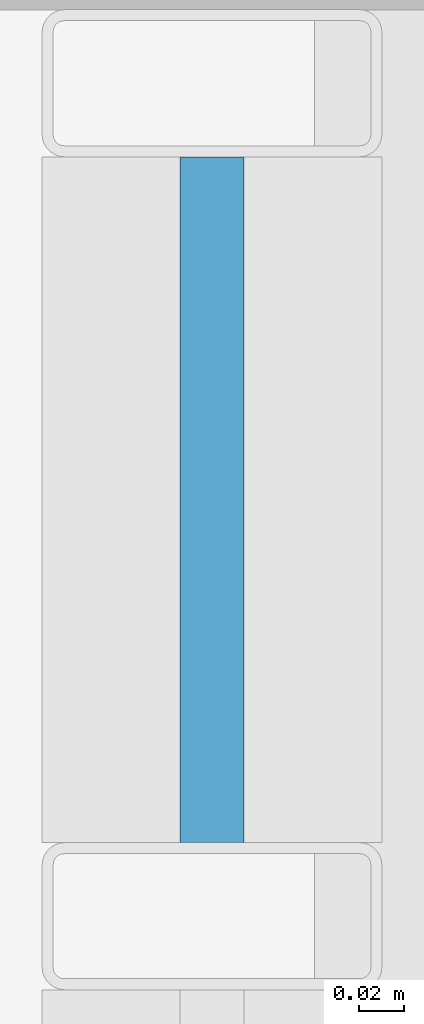
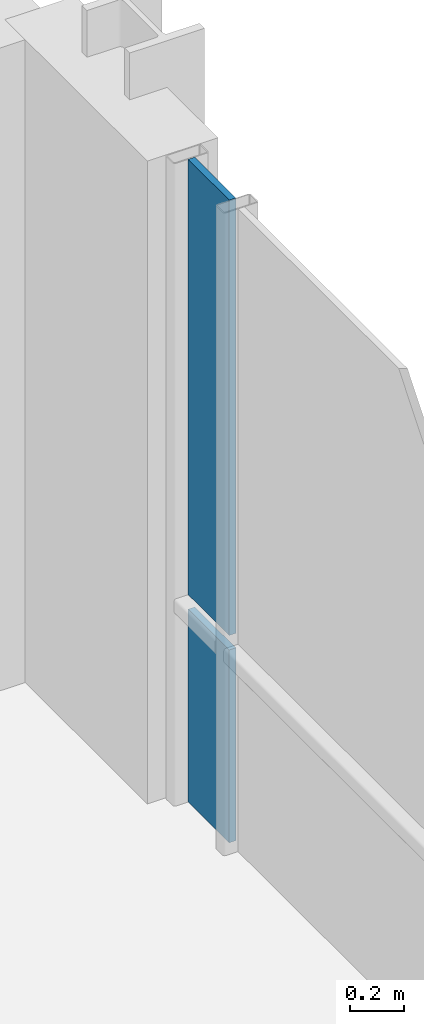
# One storey, part 7 of 12: 2 plates, 1 element without a shape of its own.
"""IFC4 building model written with IfcOpenShell, lengths in metres."""

from ifc_helpers import new_model, si_unit, direction, frame, origin, origin_2d, place, context, subcontext, project, spatial, rectangle, extrude, material, layer, layer_set, type_object, element, aggregate, save


model = new_model("IFC4")

# Units and contexts
model_context = context("Model", 3, precision=1e-05, world=origin(), true_north=direction((0.0, 1.0)))
body_context = subcontext(model_context, "Body", "Model", "MODEL_VIEW")
ifc_project = project(units=[si_unit("LENGTHUNIT", "METRE"), si_unit("AREAUNIT", "SQUARE_METRE"), si_unit("VOLUMEUNIT", "CUBIC_METRE"), si_unit("PLANEANGLEUNIT", "RADIAN"), si_unit("MASSUNIT", "GRAM", prefix="KILO")], contexts=[model_context])

# Site, building, storey
site_placement = place(None, origin())
site = spatial("IfcSite", under=ifc_project, at=site_placement, CompositionType="ELEMENT")
building_placement = place(site_placement, origin())
building = spatial("IfcBuilding", under=site, at=building_placement, Name="Brevholm Reach", CompositionType="ELEMENT")
storey_placement = place(building_placement, frame((0.0, 0.0, 227.300048828125)))
storey = spatial("IfcBuildingStorey", under=building, at=storey_placement, Name="L69", CompositionType="ELEMENT", Elevation=227.300048828125)

# Curtain wall, plates
ifc_material_1 = material(Name="Dark Anodised Aluminium 6063-T6 and Solar-Control Glass", Category="aluminium")
ifc_layer_1 = layer(ifc_material_1, 0.14990234375)
ifc_layer_set_1 = layer_set([ifc_layer_1], Name="Dark Anodised Aluminium 6063-T6 and Solar-Control Glass")
curtain_wall_type = type_object("IfcCurtainWallType", Name="CW-01", PredefinedType="NOTDEFINED", material=ifc_layer_set_1)
curtain_wall_placement = place(storey_placement, origin())
curtain_wall = element("IfcCurtainWall", 1, at=curtain_wall_placement, inside=storey, type_object=curtain_wall_type, Name="L69 Curtain Wall CW-01", PredefinedType="NOTDEFINED")
ifc_material_2 = material(Name="Dark Solar-Control Double-Glazed IGU Glass", Category="glass")
ifc_layer_2 = layer(ifc_material_2, 0.028076171875)
ifc_layer_set_2 = layer_set([ifc_layer_2], Name="Dark Solar-Control Double-Glazed IGU Glass")
plate_type = type_object("IfcPlateType", Name="CWP-GLZ-28", PredefinedType="CURTAIN_PANEL", material=ifc_layer_set_2)
plate_1_placement = place(storey_placement, frame((59.85009765625, 22.733642578125, 0.0), z_axis=(0.0, 0.0, 1.0), x_axis=(0.0, 1.0, 0.0)))
plate_1 = element("IfcPlate", 2, at=plate_1_placement, type_object=plate_type, Name="CP-01 Glazing Panel 5.1", PredefinedType="CURTAIN_PANEL", context=body_context, shape_type="SweptSolid", body=[
    extrude(rectangle(XDim=0.302490234375, YDim=0.028076171875, at=origin_2d()), origin(), (0.0, 0.0, 1.0), 0.867431640625),
])
plate_2_placement = place(storey_placement, frame((59.85009765625, 22.733642578125, 0.932373046875), z_axis=(0.0, 0.0, 1.0), x_axis=(0.0, 1.0, 0.0)))
plate_2 = element("IfcPlate", 3, at=plate_2_placement, type_object=plate_type, Name="CP-01 Glazing Panel 5.2", PredefinedType="CURTAIN_PANEL", context=body_context, shape_type="SweptSolid", body=[
    extrude(rectangle(XDim=0.302490234375, YDim=0.028076171875, at=origin_2d()), origin(), (0.0, 0.0, 1.0), 1.95751953125),
])
aggregate(curtain_wall, [plate_1, plate_2])

save(model, "model.ifc")
